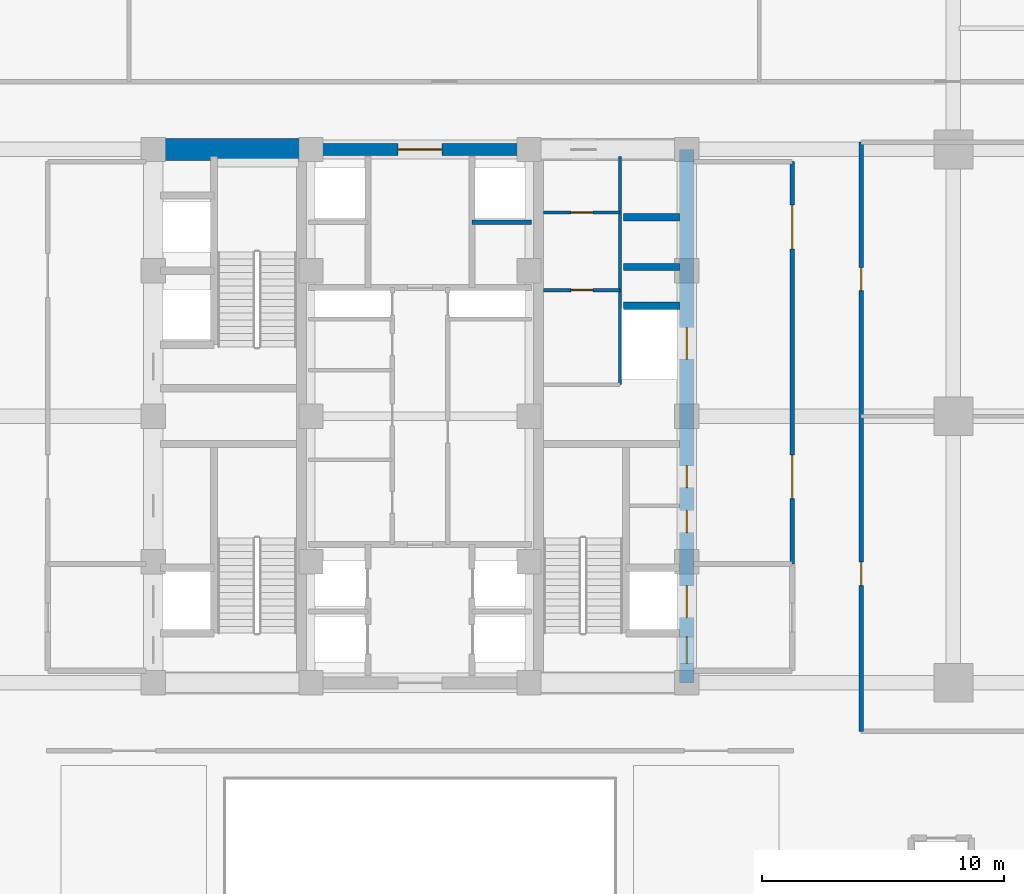
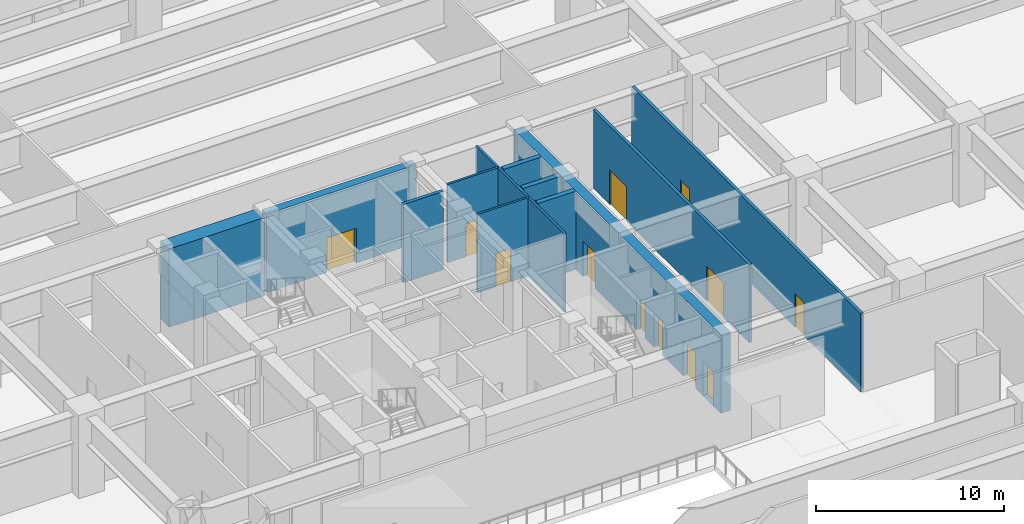
# One storey, part 18 of 28: 12 doors, 12 walls, 12 openings.
"""IFC4 building model written with IfcOpenShell, lengths in metres."""

from ifc_helpers import new_model, si_unit, direction, frame, frame_2d, origin, place, context, subcontext, project, spatial, rectangle, extrude, source, transform, mapped, material, layer, layer_set, type_object, element, fill, save


model = new_model("IFC4")

# Units and contexts
model_context = context("Model", 3, precision=1e-05, world=origin(), true_north=direction((0.0, 1.0)))
body_context = subcontext(model_context, "Body", "Model", "MODEL_VIEW")
ifc_project = project(units=[si_unit("LENGTHUNIT", "METRE"), si_unit("AREAUNIT", "SQUARE_METRE"), si_unit("VOLUMEUNIT", "CUBIC_METRE"), si_unit("PLANEANGLEUNIT", "RADIAN"), si_unit("MASSUNIT", "GRAM", prefix="KILO")], contexts=[model_context])

# Site, building, storey
site_placement = place(None, origin())
site = spatial("IfcSite", under=ifc_project, at=site_placement, CompositionType="ELEMENT")
building_placement = place(site_placement, origin())
building = spatial("IfcBuilding", under=site, at=building_placement, Name="Khorayat Bourse Tower", CompositionType="ELEMENT")
storey_placement = place(building_placement, frame((0.0, 0.0, 6.60009765625)))
storey = spatial("IfcBuildingStorey", under=building, at=storey_placement, Name="L01", CompositionType="ELEMENT", Elevation=6.60009765625)

# Wall, openings, doors
ifc_material_1 = material(Name="Concrete C60/75", Category="concrete")
ifc_layer_1 = layer(ifc_material_1, 0.60009765625)
ifc_layer_set_1 = layer_set([ifc_layer_1], Name="Concrete C60/75")
wall_type_1 = type_object("IfcWallType", Name="WAL-CORE-600", PredefinedType="SHEAR", material=ifc_layer_set_1)
shared_shape_1 = source(origin(), body_context, "Body", "SweptSolid", [
    extrude(rectangle(XDim=22.0, YDim=0.60009765625, at=frame_2d((11.0, 0.0))), origin(), (0.0, 0.0, 1.0), 5.079833984375),
])
wall_1_placement = place(storey_placement, frame((11.0, -11.0, 0.0), z_axis=(0.0, 0.0, 1.0), x_axis=(0.0, 1.0, 0.0)))
wall_1 = element("IfcWall", 1, at=wall_1_placement, inside=storey, type_object=wall_type_1, Name="L01 Core Shear Wall CORE-E", PredefinedType="SHEAR", context=body_context, shape_type="MappedRepresentation", body=[
    mapped(shared_shape_1, transform((0.0, 0.0, 0.0), scale=1.0)),
])
shared_shape_2 = source(origin(), body_context, "Body", "SweptSolid", [
    extrude(rectangle(XDim=1.10009765625, YDim=2.199951171875, at=frame_2d((0.550048828125, 1.10009765625))), frame((0.0, 0.31005859375, 0.0), z_axis=(0.0, -1.0, 0.0), x_axis=(1.0, 0.0, 0.0)), (0.0, 0.0, 1.0), 0.6201171875),
])
opening_1_placement = place(wall_1_placement, frame((0.800048828125, 0.0, 0.0)))
opening_1 = element("IfcOpeningElement", 2, at=opening_1_placement, cuts=wall_1, Name="Opening DI-01", PredefinedType="OPENING", context=body_context, shape_type="MappedRepresentation", body=[
    mapped(shared_shape_2, transform((0.0, 0.0, 0.0), scale=1.0)),
])
shared_shape_3 = source(origin(), body_context, "Body", "SweptSolid", [
    extrude(rectangle(XDim=0.89990234375, YDim=2.14990234375, at=frame_2d((0.449951171875, 1.074951171875))), frame((0.0, 0.31005859375, 0.0), z_axis=(0.0, -1.0, 0.0), x_axis=(1.0, 0.0, 0.0)), (0.0, 0.0, 1.0), 0.6201171875),
])
opening_2_placement = place(wall_1_placement, frame((6.199951171875, 0.0, 0.0)))
opening_2 = element("IfcOpeningElement", 3, at=opening_2_placement, cuts=wall_1, Name="Opening DI-06", PredefinedType="OPENING", context=body_context, shape_type="MappedRepresentation", body=[
    mapped(shared_shape_3, transform((0.0, 0.0, 0.0), scale=1.0)),
])
opening_3_placement = place(wall_1_placement, frame((8.050048828125, 0.0, 0.0)))
opening_3 = element("IfcOpeningElement", 4, at=opening_3_placement, cuts=wall_1, Name="Opening DI-06", PredefinedType="OPENING", context=body_context, shape_type="MappedRepresentation", body=[
    mapped(shared_shape_3, transform((0.0, 0.0, 0.0), scale=1.0)),
])
shared_shape_4 = source(origin(), body_context, "Body", "SweptSolid", [
    extrude(rectangle(XDim=1.300048828125, YDim=2.300048828125, at=frame_2d((0.64990234375, 1.14990234375))), frame((0.0, 0.31005859375, 0.0), z_axis=(0.0, -1.0, 0.0), x_axis=(1.0, 0.0, 0.0)), (0.0, 0.0, 1.0), 0.6201171875),
])
opening_4_placement = place(wall_1_placement, frame((2.699951171875, 0.0, 0.0)))
opening_4 = element("IfcOpeningElement", 5, at=opening_4_placement, cuts=wall_1, Name="Opening LD-02", PredefinedType="OPENING", context=body_context, shape_type="MappedRepresentation", body=[
    mapped(shared_shape_4, transform((0.0, 0.0, 0.0), scale=1.0)),
])
opening_5_placement = place(wall_1_placement, frame((13.35009765625, 0.0, 0.0)))
opening_5 = element("IfcOpeningElement", 6, at=opening_5_placement, cuts=wall_1, Name="Opening LD-02", PredefinedType="OPENING", context=body_context, shape_type="MappedRepresentation", body=[
    mapped(shared_shape_4, transform((0.0, 0.0, 0.0), scale=1.0)),
])
ifc_material_2 = material(Name="Fire-rated steel acoustic leaf", Category="steel")
door_type_1 = type_object("IfcDoorType", Name="DR-INT-STAIR-1100", OperationType="NOTDEFINED", PredefinedType="DOOR", material=ifc_material_2)
shared_shape_5 = source(origin(), body_context, "Body", "SweptSolid", [
    extrude(rectangle(XDim=1.10009765625, YDim=2.199951171875, at=frame_2d((0.550048828125, 1.10009765625))), frame((0.0, 0.02490234375, 0.0), z_axis=(0.0, -1.0, 0.0), x_axis=(1.0, 0.0, 0.0)), (0.0, 0.0, 1.0), 0.050048828125),
])
door_1_placement = place(opening_1_placement, origin())
door_1 = element("IfcDoor", 7, at=door_1_placement, inside=storey, type_object=door_type_1, Name="L01 Exit Stair 3 Door", OperationType="SINGLE_SWING_LEFT", OverallHeight=2.199951171875, OverallWidth=1.10009765625, PredefinedType="DOOR", context=body_context, shape_type="MappedRepresentation", body=[
    mapped(shared_shape_5, transform((0.0, 0.0, 0.0), scale=1.0)),
])
fill(opening_1, door_1)
ifc_material_3 = material(Name="Moisture-resistant laminate washroom door")
door_type_2 = type_object("IfcDoorType", Name="DR-INT-WC-900", OperationType="NOTDEFINED", PredefinedType="DOOR", material=ifc_material_3)
shared_shape_6 = source(origin(), body_context, "Body", "SweptSolid", [
    extrude(rectangle(XDim=0.89990234375, YDim=2.14990234375, at=frame_2d((0.449951171875, 1.074951171875))), frame((0.0, 0.02490234375, 0.0), z_axis=(0.0, -1.0, 0.0), x_axis=(1.0, 0.0, 0.0)), (0.0, 0.0, 1.0), 0.050048828125),
])
door_2_placement = place(opening_2_placement, origin())
door_2 = element("IfcDoor", 8, at=door_2_placement, inside=storey, type_object=door_type_2, Name="L01 Comms Closet Door", OperationType="SINGLE_SWING_LEFT", OverallHeight=2.14990234375, OverallWidth=0.89990234375, PredefinedType="DOOR", context=body_context, shape_type="MappedRepresentation", body=[
    mapped(shared_shape_6, transform((0.0, 0.0, 0.0), scale=1.0)),
])
fill(opening_2, door_2)
door_3_placement = place(opening_3_placement, origin())
door_3 = element("IfcDoor", 9, at=door_3_placement, inside=storey, type_object=door_type_2, Name="L01 Cleaner Store Door", OperationType="SINGLE_SWING_RIGHT", OverallHeight=2.14990234375, OverallWidth=0.89990234375, PredefinedType="DOOR", context=body_context, shape_type="MappedRepresentation", body=[
    mapped(shared_shape_6, transform((0.0, 0.0, 0.0), scale=1.0)),
])
fill(opening_3, door_3)
ifc_material_4 = material(Name="Fire-rated stainless-steel sliding landing door", Category="steel")
door_type_3 = type_object("IfcDoorType", Name="DR-LIFT-FF-1300", OperationType="NOTDEFINED", PredefinedType="DOOR", material=ifc_material_4)
shared_shape_7 = source(origin(), body_context, "Body", "SweptSolid", [
    extrude(rectangle(XDim=1.300048828125, YDim=2.300048828125, at=frame_2d((0.64990234375, 1.14990234375))), frame((0.0, 0.02490234375, 0.0), z_axis=(0.0, -1.0, 0.0), x_axis=(1.0, 0.0, 0.0)), (0.0, 0.0, 1.0), 0.050048828125),
])
door_4_placement = place(opening_4_placement, origin())
door_4 = element("IfcDoor", 10, at=door_4_placement, inside=storey, type_object=door_type_3, Name="L01 Lift FFL-02 Sliding Landing Door", OperationType="SLIDING_TO_LEFT", OverallHeight=2.300048828125, OverallWidth=1.300048828125, PredefinedType="DOOR", context=body_context, shape_type="MappedRepresentation", body=[
    mapped(shared_shape_7, transform((0.0, 0.0, 0.0), scale=1.0)),
])
fill(opening_4, door_4)
door_5_placement = place(opening_5_placement, origin())
door_5 = element("IfcDoor", 11, at=door_5_placement, inside=storey, type_object=door_type_3, Name="L01 Lift SVL-01 Sliding Landing Door", OperationType="SLIDING_TO_LEFT", OverallHeight=2.300048828125, OverallWidth=1.300048828125, PredefinedType="DOOR", context=body_context, shape_type="MappedRepresentation", body=[
    mapped(shared_shape_7, transform((0.0, 0.0, 0.0), scale=1.0)),
])
fill(opening_5, door_5)

# Wall
ifc_material_5 = material(Name="Concrete C72/90", Category="concrete")
ifc_layer_2 = layer(ifc_material_5, 0.89990234375)
ifc_layer_set_2 = layer_set([ifc_layer_2], Name="Concrete C72/90")
wall_type_2 = type_object("IfcWallType", Name="WAL-CORE-900", PredefinedType="SHEAR", material=ifc_layer_set_2)
shared_shape_8 = source(origin(), body_context, "Body", "SweptSolid", [
    extrude(rectangle(XDim=5.849853515625, YDim=0.89990234375, at=frame_2d((2.9248046875, 0.0))), origin(), (0.0, 0.0, 1.0), 5.079833984375),
])
wall_2_placement = place(storey_placement, frame((-10.699951171875, 11.0, 0.0), z_axis=(0.0, 0.0, 1.0), x_axis=(1.0, 0.0, 0.0)))
element("IfcWall", 12, at=wall_2_placement, inside=storey, type_object=wall_type_2, Name="L01 Core Shear Wall PIER-WN", PredefinedType="SHEAR", context=body_context, shape_type="MappedRepresentation", body=[
    mapped(shared_shape_8, transform((0.0, 0.0, 0.0), scale=1.0)),
])

# Wall, opening, door
ifc_material_6 = material(Name="Concrete C52/65", Category="concrete")
ifc_layer_3 = layer(ifc_material_6, 0.5)
ifc_layer_set_3 = layer_set([ifc_layer_3], Name="Concrete C52/65")
wall_type_3 = type_object("IfcWallType", Name="WAL-CORE-500", PredefinedType="SHEAR", material=ifc_layer_set_3)
shared_shape_9 = source(origin(), body_context, "Body", "SweptSolid", [
    extrude(rectangle(XDim=9.2001953125, YDim=0.5, at=frame_2d((4.60009765625, 0.0))), origin(), (0.0, 0.0, 1.0), 5.079833984375),
])
wall_3_placement = place(storey_placement, frame((-4.60009765625, 11.0, 0.0), z_axis=(0.0, 0.0, 1.0), x_axis=(1.0, 0.0, 0.0)))
wall_3 = element("IfcWall", 13, at=wall_3_placement, inside=storey, type_object=wall_type_3, Name="L01 Core Shear Wall CORE-N", PredefinedType="SHEAR", context=body_context, shape_type="MappedRepresentation", body=[
    mapped(shared_shape_9, transform((0.0, 0.0, 0.0), scale=1.0)),
])
shared_shape_10 = source(origin(), body_context, "Body", "SweptSolid", [
    extrude(rectangle(XDim=1.800048828125, YDim=2.25, at=frame_2d((0.89990234375, 1.125))), frame((0.0, 0.260009765625, 0.0), z_axis=(0.0, -1.0, 0.0), x_axis=(1.0, 0.0, 0.0)), (0.0, 0.0, 1.0), 0.52001953125),
])
opening_6_placement = place(wall_3_placement, frame((3.699951171875, 0.0, 0.0)))
opening_6 = element("IfcOpeningElement", 14, at=opening_6_placement, cuts=wall_3, Name="Opening DI-03", PredefinedType="OPENING", context=body_context, shape_type="MappedRepresentation", body=[
    mapped(shared_shape_10, transform((0.0, 0.0, 0.0), scale=1.0)),
])
ifc_material_7 = material(Name="Fire-rated hardwood vision-panel double leaf", Category="wood")
door_type_4 = type_object("IfcDoorType", Name="DR-INT-CORR-1800", OperationType="NOTDEFINED", PredefinedType="DOOR", material=ifc_material_7)
shared_shape_11 = source(origin(), body_context, "Body", "SweptSolid", [
    extrude(rectangle(XDim=1.800048828125, YDim=2.25, at=frame_2d((0.89990234375, 1.125))), frame((0.0, 0.02490234375, 0.0), z_axis=(0.0, -1.0, 0.0), x_axis=(1.0, 0.0, 0.0)), (0.0, 0.0, 1.0), 0.050048828125),
])
door_6_placement = place(opening_6_placement, origin())
door_6 = element("IfcDoor", 15, at=door_6_placement, inside=storey, type_object=door_type_4, Name="L01 Mid-Rise Lift Lobby Door", OperationType="SINGLE_SWING_RIGHT", OverallHeight=2.25, OverallWidth=1.800048828125, PredefinedType="DOOR", context=body_context, shape_type="MappedRepresentation", body=[
    mapped(shared_shape_11, transform((0.0, 0.0, 0.0), scale=1.0)),
])
fill(opening_6, door_6)

# Walls
ifc_material_8 = material(Name="Concrete C50/60", Category="concrete")
ifc_layer_4 = layer(ifc_material_8, 0.300048828125)
ifc_layer_set_4 = layer_set([ifc_layer_4], Name="Concrete C50/60")
wall_type_4 = type_object("IfcWallType", Name="WAL-SHAFT-300", PredefinedType="SHEAR", material=ifc_layer_set_4)
shared_shape_12 = source(origin(), body_context, "Body", "SweptSolid", [
    extrude(rectangle(XDim=2.300048828125, YDim=0.300048828125, at=frame_2d((1.14990234375, 0.0))), origin(), (0.0, 0.0, 1.0), 5.079833984375),
])
for number, where, z_axis, x_axis, name in (
    (16, (8.39990234375, 4.550048828125, 0.0), (0.0, 0.0, 1.0), (1.0, 0.0, 0.0), "L01 Partition WAL-L01-EPIER-SVLN"),
    (17, (8.39990234375, 6.14990234375, 0.0), (0.0, 0.0, 1.0), (1.0, 0.0, 0.0), "L01 Partition WAL-L01-EPIER-H3S"),
    (18, (8.39990234375, 8.199951171875, 0.0), (0.0, 0.0, 1.0), (1.0, 0.0, 0.0), "L01 Partition WAL-L01-EPIER-H34"),
):
    element("IfcWall", number, at=place(storey_placement, frame(where, z_axis=z_axis, x_axis=x_axis)), inside=storey, type_object=wall_type_4, Name=name, PredefinedType="SHEAR", context=body_context, shape_type="MappedRepresentation", body=[
        mapped(shared_shape_12, transform((0.0, 0.0, 0.0), scale=1.0)),
    ])
ifc_material_9 = material(Name="Moisture-resistant masonry partition", Category="masonry")
ifc_layer_5 = layer(ifc_material_9, 0.139892578125)
ifc_layer_set_5 = layer_set([ifc_layer_5], Name="Moisture-resistant masonry partition")
wall_type_5 = type_object("IfcWallType", Name="WAL-PART-WET-140", PredefinedType="PARTITIONING", material=ifc_layer_set_5)
shared_shape_13 = source(origin(), body_context, "Body", "SweptSolid", [
    extrude(rectangle(XDim=9.39990234375, YDim=0.139892578125, at=frame_2d((4.699951171875, 0.0))), origin(), (0.0, 0.0, 1.0), 5.079833984375),
])
wall_4_placement = place(storey_placement, frame((8.25, 1.300048828125, 0.0), z_axis=(0.0, 0.0, 1.0), x_axis=(0.0, 1.0, 0.0)))
element("IfcWall", 19, at=wall_4_placement, inside=storey, type_object=wall_type_5, Name="L01 Partition WAL-L01-ECORE-E", PredefinedType="PARTITIONING", context=body_context, shape_type="MappedRepresentation", body=[
    mapped(shared_shape_13, transform((0.0, 0.0, 0.0), scale=1.0)),
])

# Wall, opening, door
shared_shape_14 = source(origin(), body_context, "Body", "SweptSolid", [
    extrude(rectangle(XDim=3.14990234375, YDim=0.139892578125, at=frame_2d((1.574951171875, 0.0))), origin(), (0.0, 0.0, 1.0), 5.079833984375),
])
wall_5_placement = place(storey_placement, frame((5.10009765625, 8.39990234375, 0.0), z_axis=(0.0, 0.0, 1.0), x_axis=(1.0, 0.0, 0.0)))
wall_5 = element("IfcWall", 20, at=wall_5_placement, inside=storey, type_object=wall_type_5, Name="L01 Partition WAL-L01-ECW-TOP", PredefinedType="PARTITIONING", context=body_context, shape_type="MappedRepresentation", body=[
    mapped(shared_shape_14, transform((0.0, 0.0, 0.0), scale=1.0)),
])
shared_shape_15 = source(origin(), body_context, "Body", "SweptSolid", [
    extrude(rectangle(XDim=0.89990234375, YDim=2.14990234375, at=frame_2d((0.449951171875, 1.074951171875))), frame((0.0, 0.079833984375, 0.0), z_axis=(0.0, -1.0, 0.0), x_axis=(1.0, 0.0, 0.0)), (0.0, 0.0, 1.0), 0.159912109375),
])
opening_7_placement = place(wall_5_placement, frame((1.1298828125, 0.0, 0.0)))
opening_7 = element("IfcOpeningElement", 21, at=opening_7_placement, cuts=wall_5, Name="Opening DI-06", PredefinedType="OPENING", context=body_context, shape_type="MappedRepresentation", body=[
    mapped(shared_shape_15, transform((0.0, 0.0, 0.0), scale=1.0)),
])
door_7_placement = place(opening_7_placement, origin())
door_7 = element("IfcDoor", 22, at=door_7_placement, inside=storey, type_object=door_type_2, Name="L01 Accessible WC Door", OperationType="SINGLE_SWING_LEFT", OverallHeight=2.14990234375, OverallWidth=0.89990234375, PredefinedType="DOOR", context=body_context, shape_type="MappedRepresentation", body=[
    mapped(shared_shape_6, transform((0.0, 0.0, 0.0), scale=1.0)),
])
fill(opening_7, door_7)

wall_6_placement = place(storey_placement, frame((5.10009765625, 5.199951171875, 0.0), z_axis=(0.0, 0.0, 1.0), x_axis=(1.0, 0.0, 0.0)))
wall_6 = element("IfcWall", 23, at=wall_6_placement, inside=storey, type_object=wall_type_5, Name="L01 Partition WAL-L01-ECW-HZ", PredefinedType="PARTITIONING", context=body_context, shape_type="MappedRepresentation", body=[
    mapped(shared_shape_14, transform((0.0, 0.0, 0.0), scale=1.0)),
])
opening_8_placement = place(wall_6_placement, frame((1.1298828125, 0.0, 0.0)))
opening_8 = element("IfcOpeningElement", 24, at=opening_8_placement, cuts=wall_6, Name="Opening DI-06", PredefinedType="OPENING", context=body_context, shape_type="MappedRepresentation", body=[
    mapped(shared_shape_15, transform((0.0, 0.0, 0.0), scale=1.0)),
])
door_8_placement = place(opening_8_placement, origin())
door_8 = element("IfcDoor", 25, at=door_8_placement, inside=storey, type_object=door_type_2, Name="L01 Shared Washroom Door", OperationType="SINGLE_SWING_RIGHT", OverallHeight=2.14990234375, OverallWidth=0.89990234375, PredefinedType="DOOR", context=body_context, shape_type="MappedRepresentation", body=[
    mapped(shared_shape_6, transform((0.0, 0.0, 0.0), scale=1.0)),
])
fill(opening_8, door_8)

# Wall, openings, doors
ifc_material_10 = material(Name="Gypsum plasterboard acoustic stud wall")
ifc_layer_6 = layer(ifc_material_10, 0.179931640625)
ifc_layer_set_6 = layer_set([ifc_layer_6], Name="Gypsum plasterboard acoustic stud wall")
wall_type_6 = type_object("IfcWallType", Name="WAL-PART-CORR-180", PredefinedType="PARTITIONING", material=ifc_layer_set_6)
shared_shape_16 = source(origin(), body_context, "Body", "SweptSolid", [
    extrude(rectangle(XDim=16.60009765625, YDim=0.179931640625, at=frame_2d((8.300048828125, 0.0))), origin(), (0.0, 0.0, 1.0), 5.079833984375),
])
wall_7_placement = place(storey_placement, frame((15.35009765625, -6.10009765625, 0.0), z_axis=(0.0, 0.0, 1.0), x_axis=(0.0, 1.0, 0.0)))
wall_7 = element("IfcWall", 26, at=wall_7_placement, inside=storey, type_object=wall_type_6, Name="L01 Partition WAL-L01-ELOB-E", PredefinedType="PARTITIONING", context=body_context, shape_type="MappedRepresentation", body=[
    mapped(shared_shape_16, transform((0.0, 0.0, 0.0), scale=1.0)),
])
shared_shape_17 = source(origin(), body_context, "Body", "SweptSolid", [
    extrude(rectangle(XDim=1.800048828125, YDim=2.25, at=frame_2d((0.89990234375, 1.125))), frame((0.0, 0.099853515625, 0.0), z_axis=(0.0, -1.0, 0.0), x_axis=(1.0, 0.0, 0.0)), (0.0, 0.0, 1.0), 0.199951171875),
])
opening_9_placement = place(wall_7_placement, frame((2.699951171875, 0.0, 0.0)))
opening_9 = element("IfcOpeningElement", 27, at=opening_9_placement, cuts=wall_7, Name="Opening DI-03", PredefinedType="OPENING", context=body_context, shape_type="MappedRepresentation", body=[
    mapped(shared_shape_17, transform((0.0, 0.0, 0.0), scale=1.0)),
])
opening_10_placement = place(wall_7_placement, frame((13.0, 0.0, 0.0)))
opening_10 = element("IfcOpeningElement", 28, at=opening_10_placement, cuts=wall_7, Name="Opening DI-03", PredefinedType="OPENING", context=body_context, shape_type="MappedRepresentation", body=[
    mapped(shared_shape_17, transform((0.0, 0.0, 0.0), scale=1.0)),
])
door_9_placement = place(opening_9_placement, origin())
door_9 = element("IfcDoor", 29, at=door_9_placement, inside=storey, type_object=door_type_4, Name="L01 East Core Lobby South Door", OperationType="SINGLE_SWING_RIGHT", OverallHeight=2.25, OverallWidth=1.800048828125, PredefinedType="DOOR", context=body_context, shape_type="MappedRepresentation", body=[
    mapped(shared_shape_11, transform((0.0, 0.0, 0.0), scale=1.0)),
])
fill(opening_9, door_9)
door_10_placement = place(opening_10_placement, origin())
door_10 = element("IfcDoor", 30, at=door_10_placement, inside=storey, type_object=door_type_4, Name="L01 East Core Lobby North Door", OperationType="SINGLE_SWING_LEFT", OverallHeight=2.25, OverallWidth=1.800048828125, PredefinedType="DOOR", context=body_context, shape_type="MappedRepresentation", body=[
    mapped(shared_shape_11, transform((0.0, 0.0, 0.0), scale=1.0)),
])
fill(opening_10, door_10)

# Wall
shared_shape_18 = source(origin(), body_context, "Body", "SweptSolid", [
    extrude(rectangle(XDim=2.4501953125, YDim=0.199951171875, at=frame_2d((1.22509765625, 0.0))), origin(), (0.0, 0.0, 1.0), 5.079833984375),
])
wall_8_placement = place(storey_placement, frame((2.14990234375, 8.0, 0.0), z_axis=(0.0, 0.0, 1.0), x_axis=(1.0, 0.0, 0.0)))
element("IfcWall", 31, at=wall_8_placement, inside=storey, type_object=wall_type_4, Name="L01 Partition WAL-L01-B2-ME", PredefinedType="SHEAR", context=body_context, shape_type="MappedRepresentation", body=[
    mapped(shared_shape_18, transform((0.0, 0.0, 0.0), scale=1.0)),
])

# Wall, openings, doors
shared_shape_19 = source(origin(), body_context, "Body", "SweptSolid", [
    extrude(rectangle(XDim=24.300048828125, YDim=0.179931640625, at=frame_2d((12.14990234375, 0.0))), origin(), (0.0, 0.0, 1.0), 5.079833984375),
])
wall_9_placement = place(storey_placement, frame((18.199951171875, -13.0, 0.0), z_axis=(0.0, 0.0, 1.0), x_axis=(0.0, 1.0, 0.0)))
wall_9 = element("IfcWall", 32, at=wall_9_placement, inside=storey, type_object=wall_type_6, Name="L01 Partition WAL-L01-PCORRE-E", PredefinedType="PARTITIONING", context=body_context, shape_type="MappedRepresentation", body=[
    mapped(shared_shape_19, transform((0.0, 0.0, 0.0), scale=1.0)),
])
shared_shape_20 = source(origin(), body_context, "Body", "SweptSolid", [
    extrude(rectangle(XDim=0.949951171875, YDim=2.14990234375, at=frame_2d((0.47509765625, 1.074951171875))), frame((0.0, 0.099853515625, 0.0), z_axis=(0.0, -1.0, 0.0), x_axis=(1.0, 0.0, 0.0)), (0.0, 0.0, 1.0), 0.199951171875),
])
opening_11_placement = place(wall_9_placement, frame((6.02490234375, 0.0, 0.0)))
opening_11 = element("IfcOpeningElement", 33, at=opening_11_placement, cuts=wall_9, Name="Opening DI-05", PredefinedType="OPENING", context=body_context, shape_type="MappedRepresentation", body=[
    mapped(shared_shape_20, transform((0.0, 0.0, 0.0), scale=1.0)),
])
opening_12_placement = place(wall_9_placement, frame((18.175048828125, 0.0, 0.0)))
opening_12 = element("IfcOpeningElement", 34, at=opening_12_placement, cuts=wall_9, Name="Opening DI-05", PredefinedType="OPENING", context=body_context, shape_type="MappedRepresentation", body=[
    mapped(shared_shape_20, transform((0.0, 0.0, 0.0), scale=1.0)),
])
ifc_material_11 = material(Name="Acoustic oak veneer office door")
door_type_5 = type_object("IfcDoorType", Name="DR-INT-OFFICE-950", OperationType="NOTDEFINED", PredefinedType="DOOR", material=ifc_material_11)
shared_shape_21 = source(origin(), body_context, "Body", "SweptSolid", [
    extrude(rectangle(XDim=0.949951171875, YDim=2.14990234375, at=frame_2d((0.47509765625, 1.074951171875))), frame((0.0, 0.02490234375, 0.0), z_axis=(0.0, -1.0, 0.0), x_axis=(1.0, 0.0, 0.0)), (0.0, 0.0, 1.0), 0.050048828125),
])
door_11_placement = place(opening_11_placement, origin())
door_11 = element("IfcDoor", 35, at=door_11_placement, inside=storey, type_object=door_type_5, Name="L01 Equities Seminar Room Door", OperationType="SINGLE_SWING_LEFT", OverallHeight=2.14990234375, OverallWidth=0.949951171875, PredefinedType="DOOR", context=body_context, shape_type="MappedRepresentation", body=[
    mapped(shared_shape_21, transform((0.0, 0.0, 0.0), scale=1.0)),
])
fill(opening_11, door_11)
door_12_placement = place(opening_12_placement, origin())
door_12 = element("IfcDoor", 36, at=door_12_placement, inside=storey, type_object=door_type_5, Name="L01 Records Archive Store Door", OperationType="SINGLE_SWING_RIGHT", OverallHeight=2.14990234375, OverallWidth=0.949951171875, PredefinedType="DOOR", context=body_context, shape_type="MappedRepresentation", body=[
    mapped(shared_shape_21, transform((0.0, 0.0, 0.0), scale=1.0)),
])
fill(opening_12, door_12)

save(model, "model.ifc")
